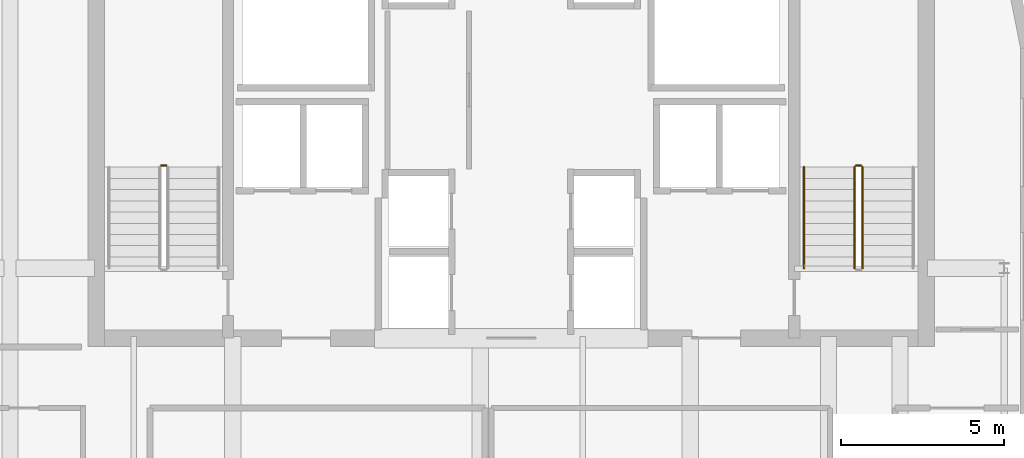
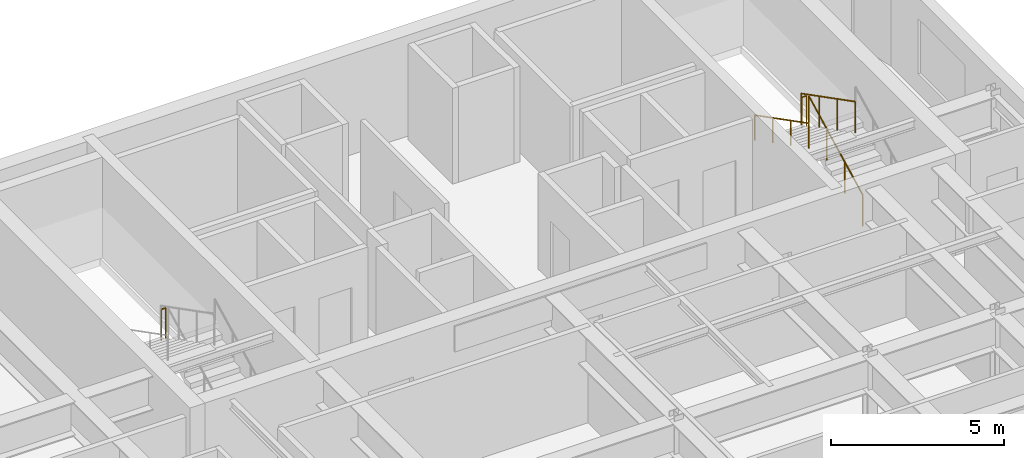
# One storey, part 15 of 16: 5 railings.
"""IFC4 building model written with IfcOpenShell, lengths in metres."""

from ifc_helpers import new_model, si_unit, direction, frame, origin, origin_2d, place, context, subcontext, project, spatial, circle, extrude, material, type_object, element, save


model = new_model("IFC4")

# Units and contexts
model_context = context("Model", 3, precision=1e-05, world=origin(), true_north=direction((0.0, 1.0)))
body_context = subcontext(model_context, "Body", "Model", "MODEL_VIEW")
ifc_project = project(units=[si_unit("LENGTHUNIT", "METRE"), si_unit("AREAUNIT", "SQUARE_METRE"), si_unit("VOLUMEUNIT", "CUBIC_METRE"), si_unit("PLANEANGLEUNIT", "RADIAN"), si_unit("MASSUNIT", "GRAM", prefix="KILO")], contexts=[model_context])

# Site, building, storey
site_placement = place(None, origin())
site = spatial("IfcSite", under=ifc_project, at=site_placement, CompositionType="ELEMENT")
building_placement = place(site_placement, origin())
building = spatial("IfcBuilding", under=site, at=building_placement, Name="Tolvann Quenvar Hotel", CompositionType="ELEMENT")
storey_placement = place(building_placement, frame((0.0, 0.0, 241.64990234375)))
storey = spatial("IfcBuildingStorey", under=building, at=storey_placement, Name="L64", CompositionType="ELEMENT", Elevation=241.64990234375)

# Railings
ifc_material = material(Name="Brushed 316 stainless steel balustrade and handrail", Category="steel")
railing_type_1 = type_object("IfcRailingType", Name="GUARDRAIL", PredefinedType="GUARDRAIL", material=ifc_material)
railing_1_placement = place(storey_placement, frame((12.39990234375, 37.155029296875, 1.775146484375)))
element("IfcRailing", 1, at=railing_1_placement, inside=storey, type_object=railing_type_1, Name="L64 ST-C1 stair guard 2", PredefinedType="GUARDRAIL", context=body_context, shape_type="SweptSolid", body=[
    extrude(circle(Radius=0.02392578125, at=origin_2d()), frame((0.0, 0.0, 1.09619140625), z_axis=(-1.0, 0.0, 0.0), x_axis=(0.0, -1.0, 0.0)), (0.0, 0.0, 1.0), 0.14990234375),
    extrude(circle(Radius=0.02099609375, at=origin_2d()), origin(), (0.0, 0.0, 1.0), 1.072021484375),
    extrude(circle(Radius=0.02099609375, at=origin_2d()), frame((-0.14990234375, 0.0, 0.0)), (0.0, 0.0, 1.0), 1.072021484375),
])
railing_2_placement = place(storey_placement, frame((33.800048828125, 34.0, 0.177490234375)))
element("IfcRailing", 2, at=railing_2_placement, inside=storey, type_object=railing_type_1, Name="L64 ST-C2 stair guard 1", PredefinedType="GUARDRAIL", context=body_context, shape_type="SweptSolid", body=[
    extrude(circle(Radius=0.02392578125, at=origin_2d()), frame((0.0, 0.0, 1.09619140625), z_axis=(0.0, 0.88919353882, 0.457531256332), x_axis=(-1.0, 0.0, 0.0)), (0.0, 0.0, 1.0), 3.491943359375),
    extrude(circle(Radius=0.02099609375, at=origin_2d()), origin(), (0.0, 0.0, 1.0), 1.072021484375),
    extrude(circle(Radius=0.02099609375, at=origin_2d()), frame((0.0, 1.034912109375, 0.532470703125)), (0.0, 0.0, 1.0), 1.072021484375),
    extrude(circle(Radius=0.02099609375, at=origin_2d()), frame((0.0, 2.070068359375, 1.065185546875)), (0.0, 0.0, 1.0), 1.072021484375),
    extrude(circle(Radius=0.02099609375, at=origin_2d()), frame((0.0, 3.10498046875, 1.59765625)), (0.0, 0.0, 1.0), 1.072021484375),
])
railing_3_placement = place(storey_placement, frame((33.75, 37.155029296875, 1.775146484375)))
element("IfcRailing", 3, at=railing_3_placement, inside=storey, type_object=railing_type_1, Name="L64 ST-C2 stair guard 2", PredefinedType="GUARDRAIL", context=body_context, shape_type="SweptSolid", body=[
    extrude(circle(Radius=0.02392578125, at=origin_2d()), frame((0.0, 0.0, 1.09619140625), z_axis=(-1.0, 0.0, 0.0), x_axis=(0.0, -1.0, 0.0)), (0.0, 0.0, 1.0), 0.14990234375),
    extrude(circle(Radius=0.02099609375, at=origin_2d()), origin(), (0.0, 0.0, 1.0), 1.072021484375),
    extrude(circle(Radius=0.02099609375, at=origin_2d()), frame((-0.14990234375, 0.0, 0.0)), (0.0, 0.0, 1.0), 1.072021484375),
])
railing_4_placement = place(storey_placement, frame((33.550048828125, 37.10498046875, 1.95263671875)))
element("IfcRailing", 4, at=railing_4_placement, inside=storey, type_object=railing_type_1, Name="L64 ST-C2 stair guard 3", PredefinedType="GUARDRAIL", context=body_context, shape_type="SweptSolid", body=[
    extrude(circle(Radius=0.02392578125, at=origin_2d()), frame((0.0, 0.0, 1.09619140625), z_axis=(0.0, -0.889221982265, 0.45747597342), x_axis=(1.0, 0.0, 0.0)), (0.0, 0.0, 1.0), 3.49169921875),
    extrude(circle(Radius=0.02099609375, at=origin_2d()), origin(), (0.0, 0.0, 1.0), 1.072021484375),
    extrude(circle(Radius=0.02099609375, at=origin_2d()), frame((0.0, -1.034912109375, 0.532470703125)), (0.0, 0.0, 1.0), 1.072021484375),
    extrude(circle(Radius=0.02099609375, at=origin_2d()), frame((0.0, -2.070068359375, 1.06494140625)), (0.0, 0.0, 1.0), 1.072021484375),
    extrude(circle(Radius=0.02099609375, at=origin_2d()), frame((0.0, -3.10498046875, 1.597412109375)), (0.0, 0.0, 1.0), 1.072021484375),
])
railing_type_2 = type_object("IfcRailingType", Name="HANDRAIL", PredefinedType="HANDRAIL", material=ifc_material)
railing_5_placement = place(storey_placement, frame((32.0, 37.10498046875, 1.95263671875)))
element("IfcRailing", 5, at=railing_5_placement, inside=storey, type_object=railing_type_2, Name="L64 ST-C2 stair handrail 2", PredefinedType="HANDRAIL", context=body_context, shape_type="SweptSolid", body=[
    extrude(circle(Radius=0.02392578125, at=origin_2d()), frame((0.0, 0.0, 0.8759765625), z_axis=(0.0, -0.889221982265, 0.45747597342), x_axis=(1.0, 0.0, 0.0)), (0.0, 0.0, 1.0), 3.49169921875),
    extrude(circle(Radius=0.02099609375, at=origin_2d()), origin(), (0.0, 0.0, 1.0), 0.851806640625),
    extrude(circle(Radius=0.02099609375, at=origin_2d()), frame((0.0, -1.034912109375, 0.532470703125)), (0.0, 0.0, 1.0), 0.851806640625),
    extrude(circle(Radius=0.02099609375, at=origin_2d()), frame((0.0, -2.070068359375, 1.06494140625)), (0.0, 0.0, 1.0), 0.851806640625),
    extrude(circle(Radius=0.02099609375, at=origin_2d()), frame((0.0, -3.10498046875, 1.597412109375)), (0.0, 0.0, 1.0), 0.851806640625),
])

save(model, "model.ifc")
